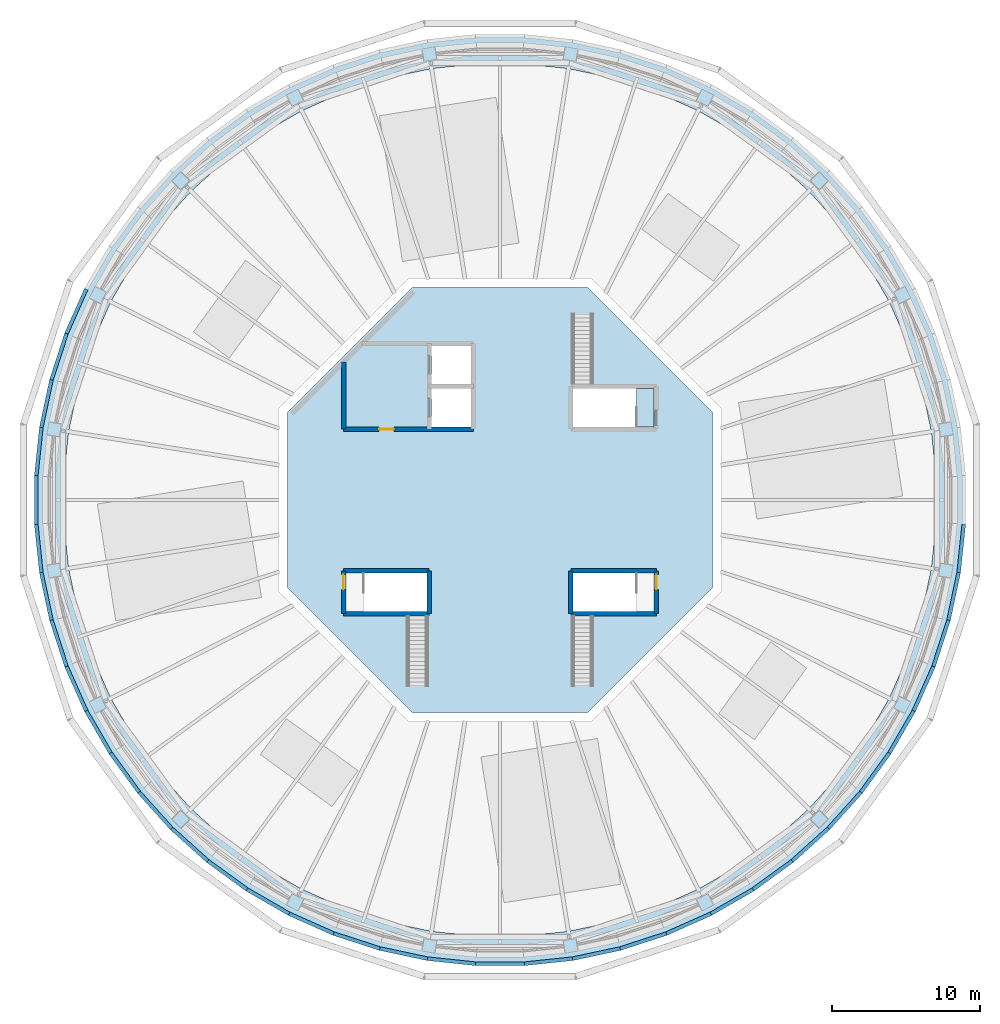
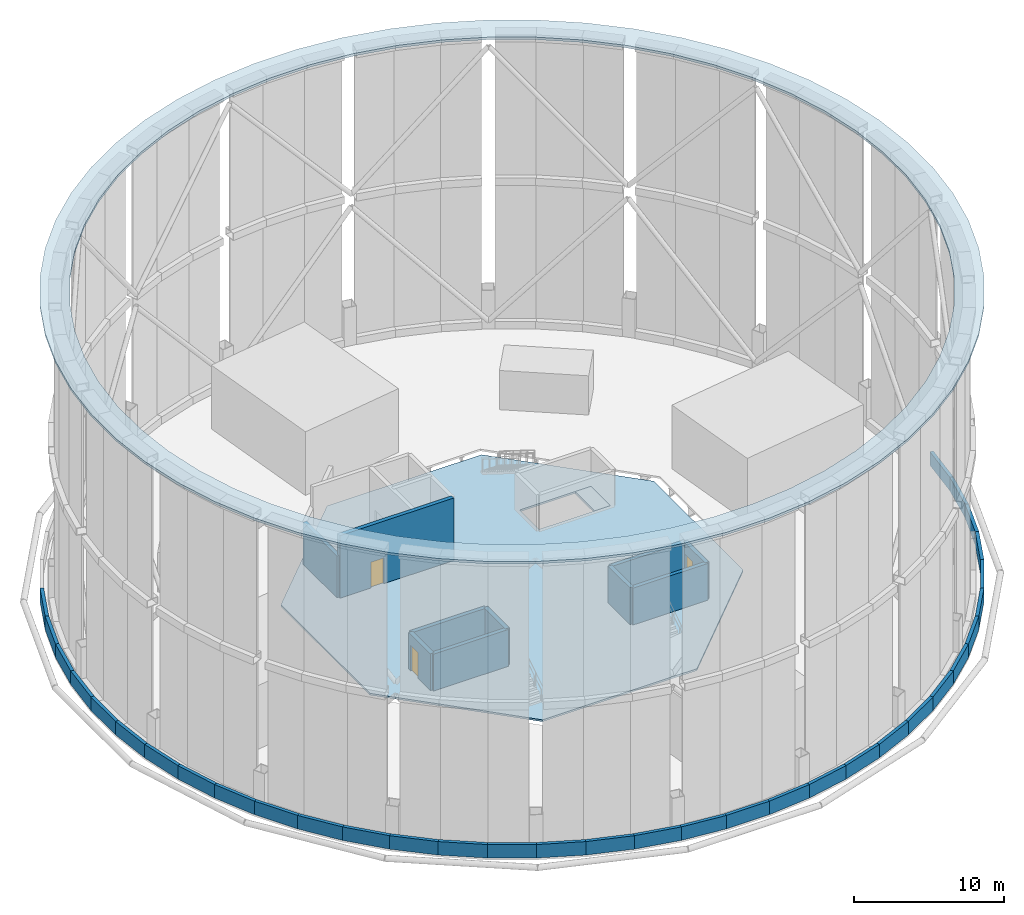
# One storey, part 6 of 11: 44 walls, 3 doors, 2 slabs, 1 plate, 3 openings.
"""IFC4 building model written with IfcOpenShell, lengths in metres."""

from ifc_helpers import new_model, si_unit, direction, frame, frame_2d, origin, place, context, subcontext, project, spatial, polyline, rectangle, outline, extrude, material, layer, layer_set, type_object, element, fill, save


model = new_model("IFC4")

# Units and contexts
model_context = context("Model", 3, precision=1e-05, world=origin(), true_north=direction((0.0, 1.0)))
body_context = subcontext(model_context, "Body", "Model", "MODEL_VIEW")
ifc_project = project(units=[si_unit("LENGTHUNIT", "METRE"), si_unit("AREAUNIT", "SQUARE_METRE"), si_unit("VOLUMEUNIT", "CUBIC_METRE"), si_unit("PLANEANGLEUNIT", "RADIAN"), si_unit("MASSUNIT", "GRAM", prefix="KILO")], contexts=[model_context])

# Site, building, storey
site_placement = place(None, origin())
site = spatial("IfcSite", under=ifc_project, at=site_placement, CompositionType="ELEMENT")
building_placement = place(site_placement, origin())
building = spatial("IfcBuilding", under=site, at=building_placement, Name="Entoto Ring Tower", CompositionType="ELEMENT")
storey_placement = place(building_placement, frame((0.0, 0.0, 415.0)))
storey = spatial("IfcBuildingStorey", under=building, at=storey_placement, Name="ROOF", CompositionType="ELEMENT", Elevation=415.0)

# Slab
ifc_material_1 = material(Name="Concrete C40/50", Category="concrete")
ifc_layer_1 = layer(ifc_material_1, 0.14990234375)
ifc_layer_set_1 = layer_set([ifc_layer_1], Name="Concrete C40/50")
slab_type_1 = type_object("IfcSlabType", Name="Core roof slab 150 mm reinforced concrete C40/50", PredefinedType="ROOF", material=ifc_layer_set_1)
slab_1_placement = place(storey_placement, frame((0.0, 0.0, -0.14990234375)))
element("IfcSlab", 1, at=slab_1_placement, inside=storey, type_object=slab_type_1, Name="Core roof", PredefinedType="ROOF", context=body_context, shape_type="SweptSolid", body=[
    extrude(outline(polyline([(104.39990234375, 74.035400390625), (104.39990234375, 85.964599609375), (95.964599609375, 94.39990234375), (84.035400390625, 94.39990234375), (75.60009765625, 85.964599609375), (75.60009765625, 74.035400390625), (84.035400390625, 65.60009765625), (95.964599609375, 65.60009765625), (104.39990234375, 74.035400390625)]), holes=[polyline([(100.449951171875, 84.949951171875), (100.449951171875, 87.550048828125), (94.949951171875, 87.550048828125), (94.949951171875, 84.949951171875), (100.449951171875, 84.949951171875)]), polyline([(85.050048828125, 72.449951171875), (85.050048828125, 75.050048828125), (79.550048828125, 75.050048828125), (79.550048828125, 72.449951171875), (85.050048828125, 72.449951171875)]), polyline([(100.449951171875, 72.449951171875), (100.449951171875, 75.050048828125), (94.949951171875, 75.050048828125), (94.949951171875, 72.449951171875), (100.449951171875, 72.449951171875)]), polyline([(85.35009765625, 84.949951171875), (88.050048828125, 84.949951171875), (88.050048828125, 87.550048828125), (85.35009765625, 87.550048828125), (85.35009765625, 84.949951171875)]), polyline([(85.35009765625, 87.85009765625), (88.050048828125, 87.85009765625), (88.050048828125, 90.449951171875), (85.35009765625, 90.449951171875), (85.35009765625, 87.85009765625)])]), origin(), (0.0, 0.0, 1.0), 0.14990234375),
])

# Plate
ifc_material_2 = material(Name="Anodised aluminium", Category="aluminium")
ifc_layer_2 = layer(ifc_material_2, 0.00390625)
ifc_material_3 = material(Name="Steel S355", Category="steel")
ifc_layer_3 = layer(ifc_material_3, 0.196044921875)
ifc_layer_set_2 = layer_set([ifc_layer_2, ifc_layer_3], Name="Steel S355")
plate_type = type_object("IfcPlateType", Name="Crown cap ring plate 200 mm", PredefinedType="SHEET", material=ifc_layer_set_2)
plate_placement = place(storey_placement, frame((0.0, 0.0, 24.0)))
element("IfcPlate", 2, at=plate_placement, inside=storey, type_object=plate_type, Name="CROWN CAP", PredefinedType="SHEET", context=body_context, shape_type="SweptSolid", body=[
    extrude(outline(polyline([(121.2109375, 84.943359375), (120.523193359375, 88.1787109375), (119.501220703125, 91.324462890625), (118.15576171875, 94.34619140625), (116.501953125, 97.210693359375), (114.557861328125, 99.886474609375), (112.344482421875, 102.344482421875), (109.886474609375, 104.557861328125), (107.210693359375, 106.501953125), (104.34619140625, 108.15576171875), (101.324462890625, 109.501220703125), (98.1787109375, 110.523193359375), (94.943359375, 111.2109375), (91.65380859375, 111.556640625), (88.34619140625, 111.556640625), (85.056640625, 111.2109375), (81.8212890625, 110.523193359375), (78.675537109375, 109.501220703125), (75.65380859375, 108.15576171875), (72.789306640625, 106.501953125), (70.113525390625, 104.557861328125), (67.655517578125, 102.344482421875), (65.442138671875, 99.886474609375), (63.498046875, 97.210693359375), (61.84423828125, 94.34619140625), (60.498779296875, 91.324462890625), (59.476806640625, 88.1787109375), (58.7890625, 84.943359375), (58.443359375, 81.65380859375), (58.443359375, 78.34619140625), (58.7890625, 75.056640625), (59.476806640625, 71.8212890625), (60.498779296875, 68.675537109375), (61.84423828125, 65.65380859375), (63.498046875, 62.789306640625), (65.442138671875, 60.113525390625), (67.655517578125, 57.655517578125), (70.113525390625, 55.442138671875), (72.789306640625, 53.498046875), (75.65380859375, 51.84423828125), (78.675537109375, 50.498779296875), (81.8212890625, 49.476806640625), (85.056640625, 48.7890625), (88.34619140625, 48.443359375), (91.65380859375, 48.443359375), (94.943359375, 48.7890625), (98.1787109375, 49.476806640625), (101.324462890625, 50.498779296875), (104.34619140625, 51.84423828125), (107.210693359375, 53.498046875), (109.886474609375, 55.442138671875), (112.344482421875, 57.655517578125), (114.557861328125, 60.113525390625), (116.501953125, 62.789306640625), (118.15576171875, 65.65380859375), (119.501220703125, 68.675537109375), (120.523193359375, 71.8212890625), (121.2109375, 75.056640625), (121.556640625, 78.34619140625), (121.556640625, 81.65380859375), (121.2109375, 84.943359375)]), holes=[polyline([(119.559326171875, 81.549072265625), (119.559326171875, 78.450927734375), (119.235595703125, 75.36962890625), (118.59130859375, 72.3388671875), (117.634033203125, 69.392333984375), (116.373779296875, 66.561767578125), (114.82470703125, 63.878662109375), (113.00341796875, 61.3720703125), (110.930419921875, 59.069580078125), (108.6279296875, 56.99658203125), (106.121337890625, 55.17529296875), (103.438232421875, 53.626220703125), (100.607666015625, 52.365966796875), (97.6611328125, 51.40869140625), (94.63037109375, 50.764404296875), (91.549072265625, 50.440673828125), (88.450927734375, 50.440673828125), (85.36962890625, 50.764404296875), (82.3388671875, 51.40869140625), (79.392333984375, 52.365966796875), (76.561767578125, 53.626220703125), (73.878662109375, 55.17529296875), (71.3720703125, 56.99658203125), (69.069580078125, 59.069580078125), (66.99658203125, 61.3720703125), (65.17529296875, 63.878662109375), (63.626220703125, 66.561767578125), (62.365966796875, 69.392333984375), (61.40869140625, 72.3388671875), (60.764404296875, 75.36962890625), (60.440673828125, 78.450927734375), (60.440673828125, 81.549072265625), (60.764404296875, 84.63037109375), (61.40869140625, 87.6611328125), (62.365966796875, 90.607666015625), (63.626220703125, 93.438232421875), (65.17529296875, 96.121337890625), (66.99658203125, 98.6279296875), (69.069580078125, 100.930419921875), (71.3720703125, 103.00341796875), (73.878662109375, 104.82470703125), (76.561767578125, 106.373779296875), (79.392333984375, 107.634033203125), (82.3388671875, 108.59130859375), (85.36962890625, 109.235595703125), (88.450927734375, 109.559326171875), (91.549072265625, 109.559326171875), (94.63037109375, 109.235595703125), (97.6611328125, 108.59130859375), (100.607666015625, 107.634033203125), (103.438232421875, 106.373779296875), (106.121337890625, 104.82470703125), (108.6279296875, 103.00341796875), (110.930419921875, 100.930419921875), (113.00341796875, 98.6279296875), (114.82470703125, 96.121337890625), (116.373779296875, 93.438232421875), (117.634033203125, 90.607666015625), (118.59130859375, 87.6611328125), (119.235595703125, 84.63037109375), (119.559326171875, 81.549072265625)])]), origin(), (0.0, 0.0, 1.0), 0.199951171875),
])

# Slab
ifc_material_4 = material(Name="Concrete C40/50", Category="concrete")
ifc_layer_4 = layer(ifc_material_4, 0.199951171875)
ifc_layer_set_3 = layer_set([ifc_layer_4], Name="Concrete C40/50")
slab_type_2 = type_object("IfcSlabType", Name="Stair landing 200 mm reinforced concrete", PredefinedType="LANDING", material=ifc_layer_set_3)
slab_2_placement = place(storey_placement, frame((0.0, 0.0, -0.199951171875)))
element("IfcSlab", 3, at=slab_2_placement, inside=storey, type_object=slab_type_2, Name="Stair landing 1 roof", PredefinedType="LANDING", context=body_context, shape_type="SweptSolid", body=[
    extrude(outline(polyline([(99.25, 84.949951171875), (100.449951171875, 84.949951171875), (100.449951171875, 87.550048828125), (99.25, 87.550048828125), (99.25, 84.949951171875)])), origin(), (0.0, 0.0, 1.0), 0.199951171875),
])

# Walls
ifc_material_5 = material(Name="Concrete C40/50", Category="concrete")
ifc_layer_5 = layer(ifc_material_5, 0.300048828125)
ifc_layer_set_4 = layer_set([ifc_layer_5], Name="Concrete C40/50")
wall_type_1 = type_object("IfcWallType", Name="Head-house wall 300 mm reinforced concrete", PredefinedType="SOLIDWALL", material=ifc_layer_set_4)
wall_1_placement = place(storey_placement, frame((79.39990234375, 72.300048828125, 0.0), z_axis=(0.0, 0.0, 1.0), x_axis=(1.0, 0.0, 0.0)))
element("IfcWall", 4, at=wall_1_placement, inside=storey, type_object=wall_type_1, Name="wall-ROOF-ST2-1", PredefinedType="SOLIDWALL", context=body_context, shape_type="SweptSolid", body=[
    extrude(rectangle(XDim=5.800048828125, YDim=0.300048828125, at=frame_2d((2.89990234375, 0.0))), origin(), (0.0, 0.0, 1.0), 3.0),
])
wall_2_placement = place(storey_placement, frame((85.199951171875, 72.300048828125, 0.0), z_axis=(0.0, 0.0, 1.0), x_axis=(0.0, 1.0, 0.0)))
element("IfcWall", 5, at=wall_2_placement, inside=storey, type_object=wall_type_1, Name="wall-ROOF-ST2-2", PredefinedType="SOLIDWALL", context=body_context, shape_type="SweptSolid", body=[
    extrude(rectangle(XDim=2.89990234375, YDim=0.300048828125, at=frame_2d((1.449951171875, 0.0))), origin(), (0.0, 0.0, 1.0), 3.0),
])
wall_3_placement = place(storey_placement, frame((85.199951171875, 75.199951171875, 0.0), z_axis=(0.0, 0.0, 1.0), x_axis=(-1.0, 0.0, 0.0)))
element("IfcWall", 6, at=wall_3_placement, inside=storey, type_object=wall_type_1, Name="wall-ROOF-ST2-3", PredefinedType="SOLIDWALL", context=body_context, shape_type="SweptSolid", body=[
    extrude(rectangle(XDim=5.800048828125, YDim=0.300048828125, at=frame_2d((2.89990234375, 0.0))), origin(), (0.0, 0.0, 1.0), 3.0),
])

# Wall, opening, door
wall_4_placement = place(storey_placement, frame((79.39990234375, 75.199951171875, 0.0), z_axis=(0.0, 0.0, 1.0), x_axis=(0.0, -1.0, 0.0)))
wall_4 = element("IfcWall", 7, at=wall_4_placement, inside=storey, type_object=wall_type_1, Name="wall-ROOF-ST2-4", PredefinedType="SOLIDWALL", context=body_context, shape_type="SweptSolid", body=[
    extrude(rectangle(XDim=2.89990234375, YDim=0.300048828125, at=frame_2d((1.449951171875, 0.0))), origin(), (0.0, 0.0, 1.0), 3.0),
])
opening_1_placement = place(wall_4_placement, frame((0.25, 0.0, 0.0)))
opening_1 = element("IfcOpeningElement", 8, at=opening_1_placement, cuts=wall_4, Name="Opening K-38", PredefinedType="OPENING", context=body_context, shape_type="SweptSolid", body=[
    extrude(rectangle(XDim=1.0, YDim=2.10009765625, at=frame_2d((0.5, 1.050048828125))), frame((0.0, 0.16015625, 0.0), z_axis=(0.0, -1.0, 0.0), x_axis=(1.0, 0.0, 0.0)), (0.0, 0.0, 1.0), 0.320068359375),
])
ifc_material_6 = material(Name="Steel door leaf, fire rated", Category="steel")
ifc_layer_6 = layer(ifc_material_6, 0.050048828125)
ifc_layer_set_5 = layer_set([ifc_layer_6], Name="Steel door leaf, fire rated")
door_type = type_object("IfcDoorType", Name="Roof door FD60 1000 x 2100 single leaf, external", OperationType="NOTDEFINED", PredefinedType="DOOR", material=ifc_layer_set_5)
door_1_placement = place(opening_1_placement, frame((1.0, 0.0, 0.0), z_axis=(0.0, 0.0, 1.0), x_axis=(-1.0, 0.0, 0.0)))
door_1 = element("IfcDoor", 9, at=door_1_placement, inside=storey, type_object=door_type, Name="Roof door ST2", OperationType="SINGLE_SWING_LEFT", OverallHeight=2.10009765625, OverallWidth=1.0, PredefinedType="DOOR", context=body_context, shape_type="SweptSolid", body=[
    extrude(rectangle(XDim=1.0, YDim=2.10009765625, at=frame_2d((0.5, 1.050048828125))), frame((0.0, 0.02490234375, 0.0), z_axis=(0.0, -1.0, 0.0), x_axis=(1.0, 0.0, 0.0)), (0.0, 0.0, 1.0), 0.050048828125),
])
fill(opening_1, door_1)

# Wall
wall_5_placement = place(storey_placement, frame((94.800048828125, 72.300048828125, 0.0), z_axis=(0.0, 0.0, 1.0), x_axis=(1.0, 0.0, 0.0)))
element("IfcWall", 10, at=wall_5_placement, inside=storey, type_object=wall_type_1, Name="wall-ROOF-ST3-1", PredefinedType="SOLIDWALL", context=body_context, shape_type="SweptSolid", body=[
    extrude(rectangle(XDim=5.800048828125, YDim=0.300048828125, at=frame_2d((2.89990234375, 0.0))), origin(), (0.0, 0.0, 1.0), 3.0),
])

# Wall, opening, door
wall_6_placement = place(storey_placement, frame((100.60009765625, 72.300048828125, 0.0), z_axis=(0.0, 0.0, 1.0), x_axis=(0.0, 1.0, 0.0)))
wall_6 = element("IfcWall", 11, at=wall_6_placement, inside=storey, type_object=wall_type_1, Name="wall-ROOF-ST3-2", PredefinedType="SOLIDWALL", context=body_context, shape_type="SweptSolid", body=[
    extrude(rectangle(XDim=2.89990234375, YDim=0.300048828125, at=frame_2d((1.449951171875, 0.0))), origin(), (0.0, 0.0, 1.0), 3.0),
])
opening_2_placement = place(wall_6_placement, frame((1.64990234375, 0.0, 0.0)))
opening_2 = element("IfcOpeningElement", 12, at=opening_2_placement, cuts=wall_6, Name="Opening K-39", PredefinedType="OPENING", context=body_context, shape_type="SweptSolid", body=[
    extrude(rectangle(XDim=1.0, YDim=2.10009765625, at=frame_2d((0.5, 1.050048828125))), frame((0.0, 0.16015625, 0.0), z_axis=(0.0, -1.0, 0.0), x_axis=(1.0, 0.0, 0.0)), (0.0, 0.0, 1.0), 0.320068359375),
])
door_2_placement = place(opening_2_placement, frame((1.0, 0.0, 0.0), z_axis=(0.0, 0.0, 1.0), x_axis=(-1.0, 0.0, 0.0)))
door_2 = element("IfcDoor", 13, at=door_2_placement, inside=storey, type_object=door_type, Name="Roof door ST3", OperationType="SINGLE_SWING_LEFT", OverallHeight=2.10009765625, OverallWidth=1.0, PredefinedType="DOOR", context=body_context, shape_type="SweptSolid", body=[
    extrude(rectangle(XDim=1.0, YDim=2.10009765625, at=frame_2d((0.5, 1.050048828125))), frame((0.0, 0.02490234375, 0.0), z_axis=(0.0, -1.0, 0.0), x_axis=(1.0, 0.0, 0.0)), (0.0, 0.0, 1.0), 0.050048828125),
])
fill(opening_2, door_2)

# Walls
wall_7_placement = place(storey_placement, frame((100.60009765625, 75.199951171875, 0.0), z_axis=(0.0, 0.0, 1.0), x_axis=(-1.0, 0.0, 0.0)))
element("IfcWall", 14, at=wall_7_placement, inside=storey, type_object=wall_type_1, Name="wall-ROOF-ST3-3", PredefinedType="SOLIDWALL", context=body_context, shape_type="SweptSolid", body=[
    extrude(rectangle(XDim=5.800048828125, YDim=0.300048828125, at=frame_2d((2.89990234375, 0.0))), origin(), (0.0, 0.0, 1.0), 3.0),
])
wall_8_placement = place(storey_placement, frame((94.800048828125, 75.199951171875, 0.0), z_axis=(0.0, 0.0, 1.0), x_axis=(0.0, -1.0, 0.0)))
element("IfcWall", 15, at=wall_8_placement, inside=storey, type_object=wall_type_1, Name="wall-ROOF-ST3-4", PredefinedType="SOLIDWALL", context=body_context, shape_type="SweptSolid", body=[
    extrude(rectangle(XDim=2.89990234375, YDim=0.300048828125, at=frame_2d((1.449951171875, 0.0))), origin(), (0.0, 0.0, 1.0), 3.0),
])
ifc_material_7 = material(Name="Concrete C40/50", Category="concrete")
ifc_layer_7 = layer(ifc_material_7, 0.300048828125)
ifc_layer_set_6 = layer_set([ifc_layer_7], Name="Concrete C40/50")
wall_type_2 = type_object("IfcWallType", Name="Lift lobby head-house wall 300 mm reinforced concrete", PredefinedType="SOLIDWALL", material=ifc_layer_set_6)
wall_9_placement = place(storey_placement, frame((79.39990234375, 84.800048828125, 0.0), z_axis=(0.0, 0.0, 1.0), x_axis=(0.0, 1.0, 0.0)))
element("IfcWall", 16, at=wall_9_placement, inside=storey, type_object=wall_type_2, Name="wall-ROOF-RL-03", PredefinedType="SOLIDWALL", context=body_context, shape_type="SweptSolid", body=[
    extrude(rectangle(XDim=4.540283203125, YDim=0.300048828125, at=frame_2d((2.27001953125, 0.0))), origin(), (0.0, 0.0, 1.0), 3.39990234375),
])

# Wall, opening, door
ifc_material_8 = material(Name="Concrete C40/50", Category="concrete")
ifc_layer_8 = layer(ifc_material_8, 0.300048828125)
ifc_layer_set_7 = layer_set([ifc_layer_8], Name="Concrete C40/50")
wall_type_3 = type_object("IfcWallType", Name="Lift shaft head-house wall 300 mm reinforced concrete", PredefinedType="SOLIDWALL", material=ifc_layer_set_7)
wall_10_placement = place(storey_placement, frame((79.39990234375, 84.800048828125, 0.0), z_axis=(0.0, 0.0, 1.0), x_axis=(1.0, 0.0, 0.0)))
wall_10 = element("IfcWall", 17, at=wall_10_placement, inside=storey, type_object=wall_type_3, Name="wall-ROOF-RL-05", PredefinedType="SOLIDWALL", context=body_context, shape_type="SweptSolid", body=[
    extrude(rectangle(XDim=8.800048828125, YDim=0.300048828125, at=frame_2d((4.39990234375, 0.0))), origin(), (0.0, 0.0, 1.0), 5.10009765625),
])
opening_3_placement = place(wall_10_placement, frame((2.39990234375, 0.0, 0.0)))
opening_3 = element("IfcOpeningElement", 18, at=opening_3_placement, cuts=wall_10, Name="Opening K-40", PredefinedType="OPENING", context=body_context, shape_type="SweptSolid", body=[
    extrude(rectangle(XDim=1.0, YDim=2.10009765625, at=frame_2d((0.5, 1.050048828125))), frame((0.0, 0.16015625, 0.0), z_axis=(0.0, -1.0, 0.0), x_axis=(1.0, 0.0, 0.0)), (0.0, 0.0, 1.0), 0.320068359375),
])
door_3_placement = place(opening_3_placement, frame((1.0, 0.0, 0.0), z_axis=(0.0, 0.0, 1.0), x_axis=(-1.0, 0.0, 0.0)))
door_3 = element("IfcDoor", 19, at=door_3_placement, inside=storey, type_object=door_type, Name="Roof door lift lobby", OperationType="SINGLE_SWING_RIGHT", OverallHeight=2.10009765625, OverallWidth=1.0, PredefinedType="DOOR", context=body_context, shape_type="SweptSolid", body=[
    extrude(rectangle(XDim=1.0, YDim=2.10009765625, at=frame_2d((0.5, 1.050048828125))), frame((0.0, 0.02490234375, 0.0), z_axis=(0.0, -1.0, 0.0), x_axis=(1.0, 0.0, 0.0)), (0.0, 0.0, 1.0), 0.050048828125),
])
fill(opening_3, door_3)

# Walls
ifc_material_9 = material(Name="Concrete C40/50", Category="concrete")
ifc_layer_9 = layer(ifc_material_9, 0.25)
ifc_layer_set_8 = layer_set([ifc_layer_9], Name="Concrete C40/50")
wall_type_4 = type_object("IfcWallType", Name="Roof parapet 250 mm", PredefinedType="PARAPET", material=ifc_layer_set_8)
wall_11_placement = place(storey_placement, frame((61.955810546875, 94.289306640625, 0.0), z_axis=(0.0, 0.0, 1.0), x_axis=(-0.406750296095, -0.913539378805, 0.0)))
element("IfcWall", 20, at=wall_11_placement, inside=storey, type_object=wall_type_4, Name="PARAPET 24", PredefinedType="PARAPET", context=body_context, shape_type="SweptSolid", body=[
    extrude(outline(polyline([(-0.006591796875, -0.125), (3.30126953125, -0.125), (3.2880859375, 0.125), (0.006591796875, 0.125), (-0.006591796875, -0.125)])), origin(), (0.0, 0.0, 1.0), 1.10009765625),
])
for number, where, z_axis, x_axis, name in (
    (21, (60.61572265625, 91.279541015625, 0.0), (0.0, 0.0, 1.0), (-0.309015695272, -0.951056938398, 0.0), "PARAPET 25"),
    (22, (59.59765625, 88.146240234375, 0.0), (0.0, 0.0, 1.0), (-0.207944727758, -0.978140577932, 0.0), "PARAPET 26"),
):
    element("IfcWall", number, at=place(storey_placement, frame(where, z_axis=z_axis, x_axis=x_axis)), inside=storey, type_object=wall_type_4, Name=name, PredefinedType="PARAPET", context=body_context, shape_type="SweptSolid", body=[
        extrude(outline(polyline([(-0.006591796875, -0.125), (3.301025390625, -0.125), (3.287841796875, 0.125), (0.006591796875, 0.125), (-0.006591796875, -0.125)])), origin(), (0.0, 0.0, 1.0), 1.10009765625),
    ])
wall_12_placement = place(storey_placement, frame((58.91259765625, 84.923828125, 0.0), z_axis=(0.0, 0.0, 1.0), x_axis=(-0.104484198714, -0.994526546764, 0.0)))
element("IfcWall", 23, at=wall_12_placement, inside=storey, type_object=wall_type_4, Name="PARAPET 27", PredefinedType="PARAPET", context=body_context, shape_type="SweptSolid", body=[
    extrude(outline(polyline([(-0.006591796875, -0.125), (3.30126953125, -0.125), (3.2880859375, 0.125), (0.006591796875, 0.125), (-0.006591796875, -0.125)])), origin(), (0.0, 0.0, 1.0), 1.10009765625),
])
wall_13_placement = place(storey_placement, frame((58.568359375, 81.647216796875, 0.0), z_axis=(0.0, 0.0, 1.0), x_axis=(0.0, -1.0, 0.0)))
element("IfcWall", 24, at=wall_13_placement, inside=storey, type_object=wall_type_4, Name="PARAPET 28", PredefinedType="PARAPET", context=body_context, shape_type="SweptSolid", body=[
    extrude(outline(polyline([(-0.006591796875, -0.125), (3.301025390625, -0.125), (3.287841796875, 0.125), (0.006591796875, 0.125), (-0.006591796875, -0.125)])), origin(), (0.0, 0.0, 1.0), 1.10009765625),
])
wall_14_placement = place(storey_placement, frame((58.568359375, 78.352783203125, 0.0), z_axis=(0.0, 0.0, 1.0), x_axis=(0.104484198714, -0.994526546764, 0.0)))
element("IfcWall", 25, at=wall_14_placement, inside=storey, type_object=wall_type_4, Name="PARAPET 29", PredefinedType="PARAPET", context=body_context, shape_type="SweptSolid", body=[
    extrude(outline(polyline([(-0.006591796875, -0.125), (3.30126953125, -0.125), (3.2880859375, 0.125), (0.006591796875, 0.125), (-0.006591796875, -0.125)])), origin(), (0.0, 0.0, 1.0), 1.10009765625),
])
for number, where, z_axis, x_axis, name in (
    (26, (58.91259765625, 75.076171875, 0.0), (0.0, 0.0, 1.0), (0.207944727758, -0.978140577932, 0.0), "PARAPET 30"),
    (27, (59.59765625, 71.853759765625, 0.0), (0.0, 0.0, 1.0), (0.309015695272, -0.951056938398, 0.0), "PARAPET 31"),
):
    element("IfcWall", number, at=place(storey_placement, frame(where, z_axis=z_axis, x_axis=x_axis)), inside=storey, type_object=wall_type_4, Name=name, PredefinedType="PARAPET", context=body_context, shape_type="SweptSolid", body=[
        extrude(outline(polyline([(-0.006591796875, -0.125), (3.301025390625, -0.125), (3.287841796875, 0.125), (0.006591796875, 0.125), (-0.006591796875, -0.125)])), origin(), (0.0, 0.0, 1.0), 1.10009765625),
    ])
wall_15_placement = place(storey_placement, frame((60.61572265625, 68.720458984375, 0.0), z_axis=(0.0, 0.0, 1.0), x_axis=(0.406750296095, -0.913539378805, 0.0)))
element("IfcWall", 28, at=wall_15_placement, inside=storey, type_object=wall_type_4, Name="PARAPET 32", PredefinedType="PARAPET", context=body_context, shape_type="SweptSolid", body=[
    extrude(outline(polyline([(-0.006591796875, -0.125), (3.30126953125, -0.125), (3.2880859375, 0.125), (0.006591796875, 0.125), (-0.006591796875, -0.125)])), origin(), (0.0, 0.0, 1.0), 1.10009765625),
])
wall_16_placement = place(storey_placement, frame((61.955810546875, 65.710693359375, 0.0), z_axis=(0.0, 0.0, 1.0), x_axis=(0.5000047107, -0.866022684043, 0.0)))
element("IfcWall", 29, at=wall_16_placement, inside=storey, type_object=wall_type_4, Name="PARAPET 33", PredefinedType="PARAPET", context=body_context, shape_type="SweptSolid", body=[
    extrude(outline(polyline([(-0.006591796875, -0.125), (3.301025390625, -0.125), (3.287841796875, 0.125), (0.006591796875, 0.125), (-0.006591796875, -0.125)])), origin(), (0.0, 0.0, 1.0), 1.10009765625),
])
wall_17_placement = place(storey_placement, frame((63.60302734375, 62.857666015625, 0.0), z_axis=(0.0, 0.0, 1.0), x_axis=(0.58776627327, -0.809030783102, 0.0)))
element("IfcWall", 30, at=wall_17_placement, inside=storey, type_object=wall_type_4, Name="PARAPET 34", PredefinedType="PARAPET", context=body_context, shape_type="SweptSolid", body=[
    extrude(outline(polyline([(-0.006591796875, -0.125), (3.30126953125, -0.125), (3.2880859375, 0.125), (0.006591796875, 0.125), (-0.006591796875, -0.125)])), origin(), (0.0, 0.0, 1.0), 1.10009765625),
])
for number, where, z_axis, x_axis, name in (
    (31, (65.53955078125, 60.192138671875, 0.0), (0.0, 0.0, 1.0), (0.669120302631, -0.743154102866, 0.0), "PARAPET 35"),
    (32, (67.743896484375, 57.743896484375, 0.0), (0.0, 0.0, 1.0), (0.743154102866, -0.669120302631, 0.0), "PARAPET 36"),
):
    element("IfcWall", number, at=place(storey_placement, frame(where, z_axis=z_axis, x_axis=x_axis)), inside=storey, type_object=wall_type_4, Name=name, PredefinedType="PARAPET", context=body_context, shape_type="SweptSolid", body=[
        extrude(outline(polyline([(-0.006591796875, -0.125), (3.301025390625, -0.125), (3.287841796875, 0.125), (0.006591796875, 0.125), (-0.006591796875, -0.125)])), origin(), (0.0, 0.0, 1.0), 1.10009765625),
    ])
wall_18_placement = place(storey_placement, frame((70.192138671875, 55.53955078125, 0.0), z_axis=(0.0, 0.0, 1.0), x_axis=(0.809030783102, -0.58776627327, 0.0)))
element("IfcWall", 33, at=wall_18_placement, inside=storey, type_object=wall_type_4, Name="PARAPET 37", PredefinedType="PARAPET", context=body_context, shape_type="SweptSolid", body=[
    extrude(outline(polyline([(-0.006591796875, -0.125), (3.30126953125, -0.125), (3.2880859375, 0.125), (0.006591796875, 0.125), (-0.006591796875, -0.125)])), origin(), (0.0, 0.0, 1.0), 1.10009765625),
])
wall_19_placement = place(storey_placement, frame((72.857666015625, 53.60302734375, 0.0), z_axis=(0.0, 0.0, 1.0), x_axis=(0.866022684043, -0.5000047107, 0.0)))
element("IfcWall", 34, at=wall_19_placement, inside=storey, type_object=wall_type_4, Name="PARAPET 38", PredefinedType="PARAPET", context=body_context, shape_type="SweptSolid", body=[
    extrude(outline(polyline([(-0.006591796875, -0.125), (3.301025390625, -0.125), (3.287841796875, 0.125), (0.006591796875, 0.125), (-0.006591796875, -0.125)])), origin(), (0.0, 0.0, 1.0), 1.10009765625),
])
wall_20_placement = place(storey_placement, frame((75.710693359375, 51.955810546875, 0.0), z_axis=(0.0, 0.0, 1.0), x_axis=(0.913539378805, -0.406750296095, 0.0)))
element("IfcWall", 35, at=wall_20_placement, inside=storey, type_object=wall_type_4, Name="PARAPET 39", PredefinedType="PARAPET", context=body_context, shape_type="SweptSolid", body=[
    extrude(outline(polyline([(-0.006591796875, -0.125), (3.30126953125, -0.125), (3.2880859375, 0.125), (0.006591796875, 0.125), (-0.006591796875, -0.125)])), origin(), (0.0, 0.0, 1.0), 1.10009765625),
])
for number, where, z_axis, x_axis, name in (
    (36, (78.720458984375, 50.61572265625, 0.0), (0.0, 0.0, 1.0), (0.951056938398, -0.309015695272, 0.0), "PARAPET 40"),
    (37, (81.853759765625, 49.59765625, 0.0), (0.0, 0.0, 1.0), (0.978140577932, -0.207944727758, 0.0), "PARAPET 41"),
):
    element("IfcWall", number, at=place(storey_placement, frame(where, z_axis=z_axis, x_axis=x_axis)), inside=storey, type_object=wall_type_4, Name=name, PredefinedType="PARAPET", context=body_context, shape_type="SweptSolid", body=[
        extrude(outline(polyline([(-0.006591796875, -0.125), (3.301025390625, -0.125), (3.287841796875, 0.125), (0.006591796875, 0.125), (-0.006591796875, -0.125)])), origin(), (0.0, 0.0, 1.0), 1.10009765625),
    ])
wall_21_placement = place(storey_placement, frame((85.076171875, 48.91259765625, 0.0), z_axis=(0.0, 0.0, 1.0), x_axis=(0.994526546764, -0.104484198714, 0.0)))
element("IfcWall", 38, at=wall_21_placement, inside=storey, type_object=wall_type_4, Name="PARAPET 42", PredefinedType="PARAPET", context=body_context, shape_type="SweptSolid", body=[
    extrude(outline(polyline([(-0.006591796875, -0.125), (3.30126953125, -0.125), (3.2880859375, 0.125), (0.006591796875, 0.125), (-0.006591796875, -0.125)])), origin(), (0.0, 0.0, 1.0), 1.10009765625),
])
wall_22_placement = place(storey_placement, frame((88.352783203125, 48.568359375, 0.0), z_axis=(0.0, 0.0, 1.0), x_axis=(1.0, 0.0, 0.0)))
element("IfcWall", 39, at=wall_22_placement, inside=storey, type_object=wall_type_4, Name="PARAPET 43", PredefinedType="PARAPET", context=body_context, shape_type="SweptSolid", body=[
    extrude(outline(polyline([(-0.006591796875, -0.125), (3.301025390625, -0.125), (3.287841796875, 0.125), (0.006591796875, 0.125), (-0.006591796875, -0.125)])), origin(), (0.0, 0.0, 1.0), 1.10009765625),
])
wall_23_placement = place(storey_placement, frame((91.647216796875, 48.568359375, 0.0), z_axis=(0.0, 0.0, 1.0), x_axis=(0.994526546764, 0.104484198714, 0.0)))
element("IfcWall", 40, at=wall_23_placement, inside=storey, type_object=wall_type_4, Name="PARAPET 44", PredefinedType="PARAPET", context=body_context, shape_type="SweptSolid", body=[
    extrude(outline(polyline([(-0.006591796875, -0.125), (3.30126953125, -0.125), (3.2880859375, 0.125), (0.006591796875, 0.125), (-0.006591796875, -0.125)])), origin(), (0.0, 0.0, 1.0), 1.10009765625),
])
for number, where, z_axis, x_axis, name in (
    (41, (94.923828125, 48.91259765625, 0.0), (0.0, 0.0, 1.0), (0.978140577932, 0.207944727758, 0.0), "PARAPET 45"),
    (42, (98.146240234375, 49.59765625, 0.0), (0.0, 0.0, 1.0), (0.951056938398, 0.309015695272, 0.0), "PARAPET 46"),
):
    element("IfcWall", number, at=place(storey_placement, frame(where, z_axis=z_axis, x_axis=x_axis)), inside=storey, type_object=wall_type_4, Name=name, PredefinedType="PARAPET", context=body_context, shape_type="SweptSolid", body=[
        extrude(outline(polyline([(-0.006591796875, -0.125), (3.301025390625, -0.125), (3.287841796875, 0.125), (0.006591796875, 0.125), (-0.006591796875, -0.125)])), origin(), (0.0, 0.0, 1.0), 1.10009765625),
    ])
wall_24_placement = place(storey_placement, frame((101.279541015625, 50.61572265625, 0.0), z_axis=(0.0, 0.0, 1.0), x_axis=(0.913539378805, 0.406750296095, 0.0)))
element("IfcWall", 43, at=wall_24_placement, inside=storey, type_object=wall_type_4, Name="PARAPET 47", PredefinedType="PARAPET", context=body_context, shape_type="SweptSolid", body=[
    extrude(outline(polyline([(-0.006591796875, -0.125), (3.30126953125, -0.125), (3.2880859375, 0.125), (0.006591796875, 0.125), (-0.006591796875, -0.125)])), origin(), (0.0, 0.0, 1.0), 1.10009765625),
])
wall_25_placement = place(storey_placement, frame((104.289306640625, 51.955810546875, 0.0), z_axis=(0.0, 0.0, 1.0), x_axis=(0.866022684043, 0.5000047107, 0.0)))
element("IfcWall", 44, at=wall_25_placement, inside=storey, type_object=wall_type_4, Name="PARAPET 48", PredefinedType="PARAPET", context=body_context, shape_type="SweptSolid", body=[
    extrude(outline(polyline([(-0.006591796875, -0.125), (3.301025390625, -0.125), (3.287841796875, 0.125), (0.006591796875, 0.125), (-0.006591796875, -0.125)])), origin(), (0.0, 0.0, 1.0), 1.10009765625),
])
wall_26_placement = place(storey_placement, frame((107.142333984375, 53.60302734375, 0.0), z_axis=(0.0, 0.0, 1.0), x_axis=(0.809030783102, 0.58776627327, 0.0)))
element("IfcWall", 45, at=wall_26_placement, inside=storey, type_object=wall_type_4, Name="PARAPET 49", PredefinedType="PARAPET", context=body_context, shape_type="SweptSolid", body=[
    extrude(outline(polyline([(-0.006591796875, -0.125), (3.30126953125, -0.125), (3.2880859375, 0.125), (0.006591796875, 0.125), (-0.006591796875, -0.125)])), origin(), (0.0, 0.0, 1.0), 1.10009765625),
])
for number, where, z_axis, x_axis, name in (
    (46, (109.807861328125, 55.53955078125, 0.0), (0.0, 0.0, 1.0), (0.743154102866, 0.669120302631, 0.0), "PARAPET 50"),
    (47, (112.256103515625, 57.743896484375, 0.0), (0.0, 0.0, 1.0), (0.669120302631, 0.743154102866, 0.0), "PARAPET 51"),
):
    element("IfcWall", number, at=place(storey_placement, frame(where, z_axis=z_axis, x_axis=x_axis)), inside=storey, type_object=wall_type_4, Name=name, PredefinedType="PARAPET", context=body_context, shape_type="SweptSolid", body=[
        extrude(outline(polyline([(-0.006591796875, -0.125), (3.301025390625, -0.125), (3.287841796875, 0.125), (0.006591796875, 0.125), (-0.006591796875, -0.125)])), origin(), (0.0, 0.0, 1.0), 1.10009765625),
    ])
wall_27_placement = place(storey_placement, frame((114.46044921875, 60.192138671875, 0.0), z_axis=(0.0, 0.0, 1.0), x_axis=(0.58776627327, 0.809030783102, 0.0)))
element("IfcWall", 48, at=wall_27_placement, inside=storey, type_object=wall_type_4, Name="PARAPET 52", PredefinedType="PARAPET", context=body_context, shape_type="SweptSolid", body=[
    extrude(outline(polyline([(-0.006591796875, -0.125), (3.30126953125, -0.125), (3.2880859375, 0.125), (0.006591796875, 0.125), (-0.006591796875, -0.125)])), origin(), (0.0, 0.0, 1.0), 1.10009765625),
])
wall_28_placement = place(storey_placement, frame((116.39697265625, 62.857666015625, 0.0), z_axis=(0.0, 0.0, 1.0), x_axis=(0.5000047107, 0.866022684043, 0.0)))
element("IfcWall", 49, at=wall_28_placement, inside=storey, type_object=wall_type_4, Name="PARAPET 53", PredefinedType="PARAPET", context=body_context, shape_type="SweptSolid", body=[
    extrude(outline(polyline([(-0.006591796875, -0.125), (3.301025390625, -0.125), (3.287841796875, 0.125), (0.006591796875, 0.125), (-0.006591796875, -0.125)])), origin(), (0.0, 0.0, 1.0), 1.10009765625),
])
wall_29_placement = place(storey_placement, frame((118.044189453125, 65.710693359375, 0.0), z_axis=(0.0, 0.0, 1.0), x_axis=(0.406750296095, 0.913539378805, 0.0)))
element("IfcWall", 50, at=wall_29_placement, inside=storey, type_object=wall_type_4, Name="PARAPET 54", PredefinedType="PARAPET", context=body_context, shape_type="SweptSolid", body=[
    extrude(outline(polyline([(-0.006591796875, -0.125), (3.30126953125, -0.125), (3.2880859375, 0.125), (0.006591796875, 0.125), (-0.006591796875, -0.125)])), origin(), (0.0, 0.0, 1.0), 1.10009765625),
])
for number, where, z_axis, x_axis, name in (
    (51, (119.38427734375, 68.720458984375, 0.0), (0.0, 0.0, 1.0), (0.309015695272, 0.951056938398, 0.0), "PARAPET 55"),
    (52, (120.40234375, 71.853759765625, 0.0), (0.0, 0.0, 1.0), (0.207944727758, 0.978140577932, 0.0), "PARAPET 56"),
):
    element("IfcWall", number, at=place(storey_placement, frame(where, z_axis=z_axis, x_axis=x_axis)), inside=storey, type_object=wall_type_4, Name=name, PredefinedType="PARAPET", context=body_context, shape_type="SweptSolid", body=[
        extrude(outline(polyline([(-0.006591796875, -0.125), (3.301025390625, -0.125), (3.287841796875, 0.125), (0.006591796875, 0.125), (-0.006591796875, -0.125)])), origin(), (0.0, 0.0, 1.0), 1.10009765625),
    ])
wall_30_placement = place(storey_placement, frame((121.08740234375, 75.076171875, 0.0), z_axis=(0.0, 0.0, 1.0), x_axis=(0.104484198714, 0.994526546764, 0.0)))
element("IfcWall", 53, at=wall_30_placement, inside=storey, type_object=wall_type_4, Name="PARAPET 57", PredefinedType="PARAPET", context=body_context, shape_type="SweptSolid", body=[
    extrude(outline(polyline([(-0.006591796875, -0.125), (3.30126953125, -0.125), (3.2880859375, 0.125), (0.006591796875, 0.125), (-0.006591796875, -0.125)])), origin(), (0.0, 0.0, 1.0), 1.10009765625),
])

save(model, "model.ifc")
